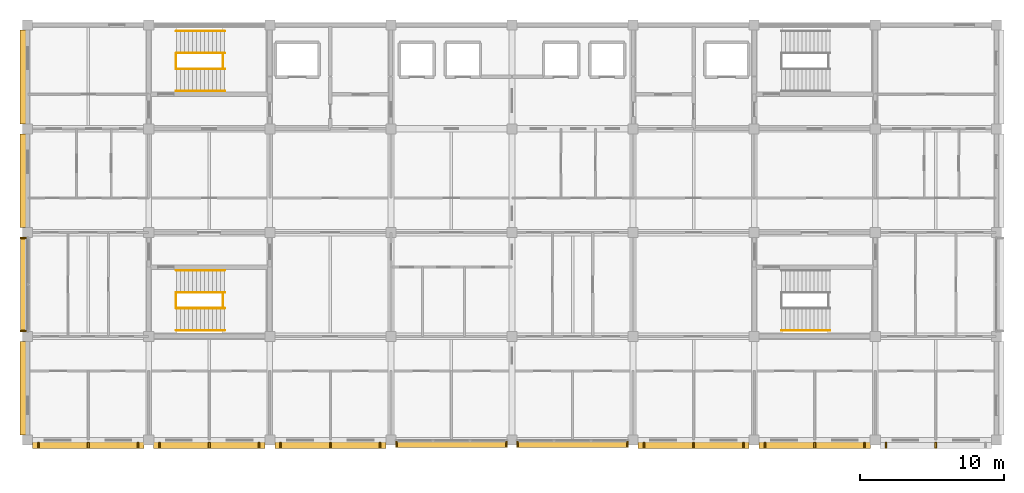
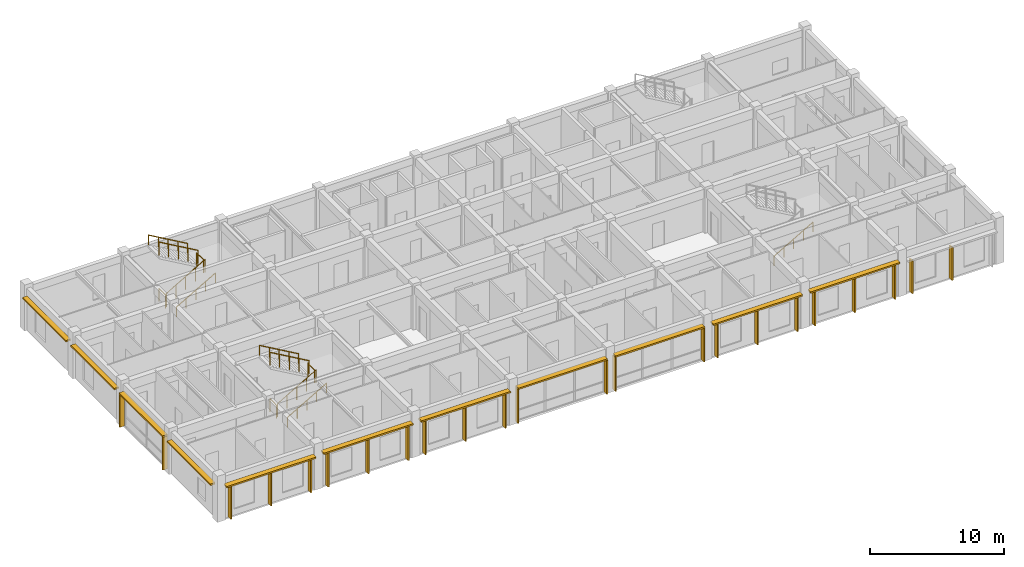
# One storey, part 18 of 19: 34 shading devices, 13 railings.
"""IFC4 building model written with IfcOpenShell, lengths in metres."""

from ifc_helpers import new_model, si_unit, direction, frame, origin, origin_2d, place, context, subcontext, project, spatial, rectangle, circle, extrude, material, type_object, element, save


model = new_model("IFC4")

# Units and contexts
model_context = context("Model", 3, precision=1e-05, world=origin(), true_north=direction((0.0, 1.0)))
body_context = subcontext(model_context, "Body", "Model", "MODEL_VIEW")
ifc_project = project(units=[si_unit("LENGTHUNIT", "METRE"), si_unit("AREAUNIT", "SQUARE_METRE"), si_unit("VOLUMEUNIT", "CUBIC_METRE"), si_unit("PLANEANGLEUNIT", "RADIAN"), si_unit("MASSUNIT", "GRAM", prefix="KILO")], contexts=[model_context])

# Site, building, storey
site_placement = place(None, origin())
site = spatial("IfcSite", under=ifc_project, at=site_placement, CompositionType="ELEMENT")
building_placement = place(site_placement, origin())
building = spatial("IfcBuilding", under=site, at=building_placement, Name="Chengyuan Square Courthouse", CompositionType="ELEMENT")
storey_placement = place(building_placement, frame((0.0, 0.0, 56.10009765625)))
storey = spatial("IfcBuildingStorey", under=building, at=storey_placement, Name="L13", CompositionType="ELEMENT", Elevation=56.10009765625)

# Railings
ifc_material_1 = material(Name="Tempered Glass and Timber Top-Rail Balustrade", Category="wood")
railing_type_1 = type_object("IfcRailingType", Name="RL-02", PredefinedType="BALUSTRADE", material=ifc_material_1)
for number, where, name in (
    (1, (60.68994140625, 105.0, 0.0), "Stair Floor Slot Guard ST-1 L13"),
    (2, (63.949951171875, 105.0, 2.099853515625), "Stair Landing Guard ST-1-L13"),
):
    element("IfcRailing", number, at=place(storey_placement, frame(where)), inside=storey, type_object=railing_type_1, Name=name, PredefinedType="BALUSTRADE", context=body_context, shape_type="SweptSolid", body=[
        extrude(circle(Radius=0.02392578125, at=origin_2d()), frame((0.0, 0.0, 1.17578125), z_axis=(0.0, 1.0, 0.0), x_axis=(-1.0, 0.0, 0.0)), (0.0, 0.0, 1.0), 1.0),
        extrude(circle(Radius=0.02099609375, at=origin_2d()), origin(), (0.0, 0.0, 1.0), 1.15185546875),
        extrude(circle(Radius=0.02099609375, at=origin_2d()), frame((0.0, 1.0, 0.0)), (0.0, 0.0, 1.0), 1.15185546875),
    ])
railing_1_placement = place(storey_placement, frame((60.7099609375, 104.949951171875, 0.161376953125)))
element("IfcRailing", 3, at=railing_1_placement, inside=storey, type_object=railing_type_1, Name="Stair Flight 1 Guard ST-1-L13", PredefinedType="BALUSTRADE", context=body_context, shape_type="SweptSolid", body=[
    extrude(circle(Radius=0.02392578125, at=origin_2d()), frame((0.0, 0.0, 1.17578125), z_axis=(0.866190824863, 0.0, 0.499713372768), x_axis=(0.0, 1.0, 0.0)), (0.0, 0.0, 1.0), 3.879150390625),
    extrude(circle(Radius=0.02099609375, at=origin_2d()), origin(), (0.0, 0.0, 1.0), 1.15185546875),
    extrude(circle(Radius=0.02099609375, at=origin_2d()), frame((0.840087890625, 0.0, 0.484619140625)), (0.0, 0.0, 1.0), 1.15185546875),
    extrude(circle(Radius=0.02099609375, at=origin_2d()), frame((1.68017578125, 0.0, 0.96923828125)), (0.0, 0.0, 1.0), 1.15185546875),
    extrude(circle(Radius=0.02099609375, at=origin_2d()), frame((2.52001953125, 0.0, 1.453857421875)), (0.0, 0.0, 1.0), 1.15185546875),
    extrude(circle(Radius=0.02099609375, at=origin_2d()), frame((3.360107421875, 0.0, 1.9384765625)), (0.0, 0.0, 1.0), 1.15185546875),
])
railing_2_placement = place(storey_placement, frame((64.070068359375, 106.050048828125, 2.261474609375)))
element("IfcRailing", 4, at=railing_2_placement, inside=storey, type_object=railing_type_1, Name="Stair Flight 2 Guard ST-1-L13", PredefinedType="BALUSTRADE", context=body_context, shape_type="SweptSolid", body=[
    extrude(circle(Radius=0.02392578125, at=origin_2d()), frame((0.0, 0.0, 1.17578125), z_axis=(-0.866190824863, 0.0, 0.499713372768), x_axis=(0.0, -1.0, 0.0)), (0.0, 0.0, 1.0), 3.879150390625),
    extrude(circle(Radius=0.02099609375, at=origin_2d()), origin(), (0.0, 0.0, 1.0), 1.15185546875),
    extrude(circle(Radius=0.02099609375, at=origin_2d()), frame((-0.840087890625, 0.0, 0.484619140625)), (0.0, 0.0, 1.0), 1.15185546875),
    extrude(circle(Radius=0.02099609375, at=origin_2d()), frame((-1.68017578125, 0.0, 0.96923828125)), (0.0, 0.0, 1.0), 1.15185546875),
    extrude(circle(Radius=0.02099609375, at=origin_2d()), frame((-2.52001953125, 0.0, 1.453857421875)), (0.0, 0.0, 1.0), 1.15185546875),
    extrude(circle(Radius=0.02099609375, at=origin_2d()), frame((-3.360107421875, 0.0, 1.9384765625)), (0.0, 0.0, 1.0), 1.15185546875),
])
for number, where, name in (
    (5, (60.68994140625, 88.39990234375, 0.0), "Stair Floor Slot Guard ST-3 L13"),
    (6, (63.949951171875, 88.39990234375, 2.099853515625), "Stair Landing Guard ST-3-L13"),
):
    element("IfcRailing", number, at=place(storey_placement, frame(where)), inside=storey, type_object=railing_type_1, Name=name, PredefinedType="BALUSTRADE", context=body_context, shape_type="SweptSolid", body=[
        extrude(circle(Radius=0.02392578125, at=origin_2d()), frame((0.0, 0.0, 1.17578125), z_axis=(0.0, 1.0, 0.0), x_axis=(-1.0, 0.0, 0.0)), (0.0, 0.0, 1.0), 1.0),
        extrude(circle(Radius=0.02099609375, at=origin_2d()), origin(), (0.0, 0.0, 1.0), 1.15185546875),
        extrude(circle(Radius=0.02099609375, at=origin_2d()), frame((0.0, 1.0, 0.0)), (0.0, 0.0, 1.0), 1.15185546875),
    ])
railing_3_placement = place(storey_placement, frame((60.7099609375, 88.35009765625, 0.161376953125)))
element("IfcRailing", 7, at=railing_3_placement, inside=storey, type_object=railing_type_1, Name="Stair Flight 1 Guard ST-3-L13", PredefinedType="BALUSTRADE", context=body_context, shape_type="SweptSolid", body=[
    extrude(circle(Radius=0.02392578125, at=origin_2d()), frame((0.0, 0.0, 1.17578125), z_axis=(0.866190824863, 0.0, 0.499713372768), x_axis=(0.0, 1.0, 0.0)), (0.0, 0.0, 1.0), 3.879150390625),
    extrude(circle(Radius=0.02099609375, at=origin_2d()), origin(), (0.0, 0.0, 1.0), 1.15185546875),
    extrude(circle(Radius=0.02099609375, at=origin_2d()), frame((0.840087890625, 0.0, 0.484619140625)), (0.0, 0.0, 1.0), 1.15185546875),
    extrude(circle(Radius=0.02099609375, at=origin_2d()), frame((1.68017578125, 0.0, 0.96923828125)), (0.0, 0.0, 1.0), 1.15185546875),
    extrude(circle(Radius=0.02099609375, at=origin_2d()), frame((2.52001953125, 0.0, 1.453857421875)), (0.0, 0.0, 1.0), 1.15185546875),
    extrude(circle(Radius=0.02099609375, at=origin_2d()), frame((3.360107421875, 0.0, 1.9384765625)), (0.0, 0.0, 1.0), 1.15185546875),
])
railing_4_placement = place(storey_placement, frame((64.070068359375, 89.449951171875, 2.261474609375)))
element("IfcRailing", 8, at=railing_4_placement, inside=storey, type_object=railing_type_1, Name="Stair Flight 2 Guard ST-3-L13", PredefinedType="BALUSTRADE", context=body_context, shape_type="SweptSolid", body=[
    extrude(circle(Radius=0.02392578125, at=origin_2d()), frame((0.0, 0.0, 1.17578125), z_axis=(-0.866190824863, 0.0, 0.499713372768), x_axis=(0.0, -1.0, 0.0)), (0.0, 0.0, 1.0), 3.879150390625),
    extrude(circle(Radius=0.02099609375, at=origin_2d()), origin(), (0.0, 0.0, 1.0), 1.15185546875),
    extrude(circle(Radius=0.02099609375, at=origin_2d()), frame((-0.840087890625, 0.0, 0.484619140625)), (0.0, 0.0, 1.0), 1.15185546875),
    extrude(circle(Radius=0.02099609375, at=origin_2d()), frame((-1.68017578125, 0.0, 0.96923828125)), (0.0, 0.0, 1.0), 1.15185546875),
    extrude(circle(Radius=0.02099609375, at=origin_2d()), frame((-2.52001953125, 0.0, 1.453857421875)), (0.0, 0.0, 1.0), 1.15185546875),
    extrude(circle(Radius=0.02099609375, at=origin_2d()), frame((-3.360107421875, 0.0, 1.9384765625)), (0.0, 0.0, 1.0), 1.15185546875),
])
ifc_material_2 = material(Name="Stainless Steel S30408 Stair Handrail", Category="steel")
railing_type_2 = type_object("IfcRailingType", Name="RL-04", PredefinedType="HANDRAIL", material=ifc_material_2)
railing_5_placement = place(storey_placement, frame((60.7099609375, 103.419921875, 0.161376953125)))
element("IfcRailing", 9, at=railing_5_placement, inside=storey, type_object=railing_type_2, Name="Stair Flight 1 Handrail ST-1-L13", PredefinedType="HANDRAIL", context=body_context, shape_type="SweptSolid", body=[
    extrude(circle(Radius=0.02392578125, at=origin_2d()), frame((0.0, 0.0, 0.8759765625), z_axis=(0.866190824863, 0.0, 0.499713372768), x_axis=(0.0, 1.0, 0.0)), (0.0, 0.0, 1.0), 3.879150390625),
    extrude(circle(Radius=0.02099609375, at=origin_2d()), origin(), (0.0, 0.0, 1.0), 0.851806640625),
    extrude(circle(Radius=0.02099609375, at=origin_2d()), frame((0.840087890625, 0.0, 0.484619140625)), (0.0, 0.0, 1.0), 0.851806640625),
    extrude(circle(Radius=0.02099609375, at=origin_2d()), frame((1.68017578125, 0.0, 0.96923828125)), (0.0, 0.0, 1.0), 0.851806640625),
    extrude(circle(Radius=0.02099609375, at=origin_2d()), frame((2.52001953125, 0.0, 1.453857421875)), (0.0, 0.0, 1.0), 0.851806640625),
    extrude(circle(Radius=0.02099609375, at=origin_2d()), frame((3.360107421875, 0.0, 1.9384765625)), (0.0, 0.0, 1.0), 0.851806640625),
])
railing_6_placement = place(storey_placement, frame((64.070068359375, 107.580078125, 2.261474609375)))
element("IfcRailing", 10, at=railing_6_placement, inside=storey, type_object=railing_type_2, Name="Stair Flight 2 Handrail ST-1-L13", PredefinedType="HANDRAIL", context=body_context, shape_type="SweptSolid", body=[
    extrude(circle(Radius=0.02392578125, at=origin_2d()), frame((0.0, 0.0, 0.8759765625), z_axis=(-0.866190824863, 0.0, 0.499713372768), x_axis=(0.0, -1.0, 0.0)), (0.0, 0.0, 1.0), 3.879150390625),
    extrude(circle(Radius=0.02099609375, at=origin_2d()), origin(), (0.0, 0.0, 1.0), 0.851806640625),
    extrude(circle(Radius=0.02099609375, at=origin_2d()), frame((-0.840087890625, 0.0, 0.484619140625)), (0.0, 0.0, 1.0), 0.851806640625),
    extrude(circle(Radius=0.02099609375, at=origin_2d()), frame((-1.68017578125, 0.0, 0.96923828125)), (0.0, 0.0, 1.0), 0.851806640625),
    extrude(circle(Radius=0.02099609375, at=origin_2d()), frame((-2.52001953125, 0.0, 1.453857421875)), (0.0, 0.0, 1.0), 0.851806640625),
    extrude(circle(Radius=0.02099609375, at=origin_2d()), frame((-3.360107421875, 0.0, 1.9384765625)), (0.0, 0.0, 1.0), 0.851806640625),
])
railing_7_placement = place(storey_placement, frame((60.7099609375, 86.820068359375, 0.161376953125)))
element("IfcRailing", 11, at=railing_7_placement, inside=storey, type_object=railing_type_2, Name="Stair Flight 1 Handrail ST-3-L13", PredefinedType="HANDRAIL", context=body_context, shape_type="SweptSolid", body=[
    extrude(circle(Radius=0.02392578125, at=origin_2d()), frame((0.0, 0.0, 0.8759765625), z_axis=(0.866190824863, 0.0, 0.499713372768), x_axis=(0.0, 1.0, 0.0)), (0.0, 0.0, 1.0), 3.879150390625),
    extrude(circle(Radius=0.02099609375, at=origin_2d()), origin(), (0.0, 0.0, 1.0), 0.851806640625),
    extrude(circle(Radius=0.02099609375, at=origin_2d()), frame((0.840087890625, 0.0, 0.484619140625)), (0.0, 0.0, 1.0), 0.851806640625),
    extrude(circle(Radius=0.02099609375, at=origin_2d()), frame((1.68017578125, 0.0, 0.96923828125)), (0.0, 0.0, 1.0), 0.851806640625),
    extrude(circle(Radius=0.02099609375, at=origin_2d()), frame((2.52001953125, 0.0, 1.453857421875)), (0.0, 0.0, 1.0), 0.851806640625),
    extrude(circle(Radius=0.02099609375, at=origin_2d()), frame((3.360107421875, 0.0, 1.9384765625)), (0.0, 0.0, 1.0), 0.851806640625),
])
railing_8_placement = place(storey_placement, frame((64.070068359375, 90.97998046875, 2.261474609375)))
element("IfcRailing", 12, at=railing_8_placement, inside=storey, type_object=railing_type_2, Name="Stair Flight 2 Handrail ST-3-L13", PredefinedType="HANDRAIL", context=body_context, shape_type="SweptSolid", body=[
    extrude(circle(Radius=0.02392578125, at=origin_2d()), frame((0.0, 0.0, 0.8759765625), z_axis=(-0.866190824863, 0.0, 0.499713372768), x_axis=(0.0, -1.0, 0.0)), (0.0, 0.0, 1.0), 3.879150390625),
    extrude(circle(Radius=0.02099609375, at=origin_2d()), origin(), (0.0, 0.0, 1.0), 0.851806640625),
    extrude(circle(Radius=0.02099609375, at=origin_2d()), frame((-0.840087890625, 0.0, 0.484619140625)), (0.0, 0.0, 1.0), 0.851806640625),
    extrude(circle(Radius=0.02099609375, at=origin_2d()), frame((-1.68017578125, 0.0, 0.96923828125)), (0.0, 0.0, 1.0), 0.851806640625),
    extrude(circle(Radius=0.02099609375, at=origin_2d()), frame((-2.52001953125, 0.0, 1.453857421875)), (0.0, 0.0, 1.0), 0.851806640625),
    extrude(circle(Radius=0.02099609375, at=origin_2d()), frame((-3.360107421875, 0.0, 1.9384765625)), (0.0, 0.0, 1.0), 0.851806640625),
])
railing_9_placement = place(storey_placement, frame((102.7099609375, 86.820068359375, 0.161376953125)))
element("IfcRailing", 13, at=railing_9_placement, inside=storey, type_object=railing_type_2, Name="Stair Flight 1 Handrail ST-4-L13", PredefinedType="HANDRAIL", context=body_context, shape_type="SweptSolid", body=[
    extrude(circle(Radius=0.02392578125, at=origin_2d()), frame((0.0, 0.0, 0.8759765625), z_axis=(0.866190824863, 0.0, 0.499713372768), x_axis=(0.0, 1.0, 0.0)), (0.0, 0.0, 1.0), 3.879150390625),
    extrude(circle(Radius=0.02099609375, at=origin_2d()), origin(), (0.0, 0.0, 1.0), 0.851806640625),
    extrude(circle(Radius=0.02099609375, at=origin_2d()), frame((0.840087890625, 0.0, 0.484619140625)), (0.0, 0.0, 1.0), 0.851806640625),
    extrude(circle(Radius=0.02099609375, at=origin_2d()), frame((1.68017578125, 0.0, 0.96923828125)), (0.0, 0.0, 1.0), 0.851806640625),
    extrude(circle(Radius=0.02099609375, at=origin_2d()), frame((2.52001953125, 0.0, 1.453857421875)), (0.0, 0.0, 1.0), 0.851806640625),
    extrude(circle(Radius=0.02099609375, at=origin_2d()), frame((3.360107421875, 0.0, 1.9384765625)), (0.0, 0.0, 1.0), 0.851806640625),
])

# Shading devices
ifc_material_3 = material(Name="Glulam TCt28 Solar Shading Fin", Category="wood")
shading_device_type_1 = type_object("IfcShadingDeviceType", Name="SHD-01", PredefinedType="JALOUSIE", material=ifc_material_3)
for number, where, z_axis, x_axis, name in (
    (14, (50.10791015625, 86.782470703125, 0.0400390625), (0.0, 0.0, 1.0), (1.0, 0.0, 0.0), "Glulam Solar Fin SHD-L13-0876"),
    (15, (50.10791015625, 93.217529296875, 0.0400390625), (0.0, 0.0, 1.0), (1.0, 0.0, 0.0), "Glulam Solar Fin SHD-L13-0877"),
):
    element("IfcShadingDevice", number, at=place(storey_placement, frame(where, z_axis=z_axis, x_axis=x_axis)), inside=storey, type_object=shading_device_type_1, Name=name, PredefinedType="JALOUSIE", context=body_context, shape_type="SweptSolid", body=[
        extrude(rectangle(XDim=0.419921875, YDim=0.094970703125, at=origin_2d()), origin(), (0.0, 0.0, 1.0), 2.989990234375),
    ])
for number, where, z_axis, x_axis, name in (
    (16, (75.97998046875, 78.91796875, 0.039794921875), (0.0, 0.0, 1.0), (0.0, 1.0, 0.0), "Glulam Solar Fin SHD-L13-0889"),
    (17, (83.6201171875, 78.91796875, 0.039794921875), (0.0, 0.0, 1.0), (0.0, 1.0, 0.0), "Glulam Solar Fin SHD-L13-0890"),
    (18, (84.3798828125, 78.91796875, 0.039794921875), (0.0, 0.0, 1.0), (0.0, 1.0, 0.0), "Glulam Solar Fin SHD-L13-0892"),
    (19, (92.02001953125, 78.91796875, 0.039794921875), (0.0, 0.0, 1.0), (0.0, 1.0, 0.0), "Glulam Solar Fin SHD-L13-0893"),
):
    element("IfcShadingDevice", number, at=place(storey_placement, frame(where, z_axis=z_axis, x_axis=x_axis)), inside=storey, type_object=shading_device_type_1, Name=name, PredefinedType="JALOUSIE", context=body_context, shape_type="SweptSolid", body=[
        extrude(rectangle(XDim=0.419921875, YDim=0.094970703125, at=origin_2d()), origin(), (0.0, 0.0, 1.0), 3.10009765625),
    ])
ifc_material_4 = material(Name="Glulam TCt28 Sunshade Louvre", Category="wood")
shading_device_type_2 = type_object("IfcShadingDeviceType", Name="SHD-02", PredefinedType="AWNING", material=ifc_material_4)
shading_device_1_placement = place(storey_placement, frame((54.60009765625, 78.85791015625, 3.02978515625), z_axis=(0.0, 0.0, 1.0), x_axis=(1.0, 0.0, 0.0)))
element("IfcShadingDevice", 20, at=shading_device_1_placement, inside=storey, type_object=shading_device_type_2, Name="Glulam Sunshade Cornice SHD-L13-0874", PredefinedType="AWNING", context=body_context, shape_type="SweptSolid", body=[
    extrude(rectangle(XDim=7.7099609375, YDim=0.43994140625, at=origin_2d()), origin(), (0.0, 0.0, 1.0), 0.139892578125),
])
shading_device_2_placement = place(storey_placement, frame((50.10791015625, 90.0, 3.02978515625), z_axis=(0.0, 0.0, 1.0), x_axis=(0.0, 1.0, 0.0)))
element("IfcShadingDevice", 21, at=shading_device_2_placement, inside=storey, type_object=shading_device_type_2, Name="Glulam Sunshade Louvre SHD-L13-0878", PredefinedType="AWNING", context=body_context, shape_type="SweptSolid", body=[
    extrude(rectangle(XDim=6.5, YDim=0.43994140625, at=origin_2d()), origin(), (0.0, 0.0, 1.0), 0.139892578125),
])
for number, where, z_axis, x_axis, name in (
    (22, (63.0, 78.85791015625, 3.14013671875), (0.0, 0.0, 1.0), (1.0, 0.0, 0.0), "Glulam Sunshade Cornice SHD-L13-0884"),
    (23, (71.39990234375, 78.85791015625, 3.14013671875), (0.0, 0.0, 1.0), (1.0, 0.0, 0.0), "Glulam Sunshade Cornice SHD-L13-0888"),
):
    element("IfcShadingDevice", number, at=place(storey_placement, frame(where, z_axis=z_axis, x_axis=x_axis)), inside=storey, type_object=shading_device_type_2, Name=name, PredefinedType="AWNING", context=body_context, shape_type="SweptSolid", body=[
        extrude(rectangle(XDim=7.7099609375, YDim=0.43994140625, at=origin_2d()), origin(), (0.0, 0.0, 1.0), 0.139892578125),
    ])
for number, where, z_axis, x_axis, name in (
    (24, (79.800048828125, 78.91796875, 3.14013671875), (0.0, 0.0, 1.0), (1.0, 0.0, 0.0), "Glulam Sunshade Louvre SHD-L13-0891"),
    (25, (88.199951171875, 78.91796875, 3.14013671875), (0.0, 0.0, 1.0), (1.0, 0.0, 0.0), "Glulam Sunshade Louvre SHD-L13-0894"),
):
    element("IfcShadingDevice", number, at=place(storey_placement, frame(where, z_axis=z_axis, x_axis=x_axis)), inside=storey, type_object=shading_device_type_2, Name=name, PredefinedType="AWNING", context=body_context, shape_type="SweptSolid", body=[
        extrude(rectangle(XDim=7.699951171875, YDim=0.43994140625, at=origin_2d()), origin(), (0.0, 0.0, 1.0), 0.139892578125),
    ])
for number, where, z_axis, x_axis, name in (
    (26, (96.60009765625, 78.85791015625, 3.14013671875), (0.0, 0.0, 1.0), (1.0, 0.0, 0.0), "Glulam Sunshade Cornice SHD-L13-0898"),
    (27, (105.0, 78.85791015625, 3.14013671875), (0.0, 0.0, 1.0), (1.0, 0.0, 0.0), "Glulam Sunshade Cornice SHD-L13-0902"),
):
    element("IfcShadingDevice", number, at=place(storey_placement, frame(where, z_axis=z_axis, x_axis=x_axis)), inside=storey, type_object=shading_device_type_2, Name=name, PredefinedType="AWNING", context=body_context, shape_type="SweptSolid", body=[
        extrude(rectangle(XDim=7.7099609375, YDim=0.43994140625, at=origin_2d()), origin(), (0.0, 0.0, 1.0), 0.139892578125),
    ])
ifc_material_5 = material(Name="Glulam TCt28 Facade Sunshade", Category="wood")
shading_device_type_3 = type_object("IfcShadingDeviceType", Name="SHD-03", PredefinedType="AWNING", material=ifc_material_5)
for number, where, z_axis, x_axis, name in (
    (28, (50.068115234375, 82.800048828125, 3.009765625), (0.0, 0.0, 1.0), (0.0, 1.0, 0.0), "Glulam Facade Sunshade SHD-L13-0875"),
    (29, (50.068115234375, 97.199951171875, 3.009765625), (0.0, 0.0, 1.0), (0.0, 1.0, 0.0), "Glulam Facade Sunshade SHD-L13-0879"),
    (30, (50.068115234375, 104.39990234375, 3.009765625), (0.0, 0.0, 1.0), (0.0, 1.0, 0.0), "Glulam Facade Sunshade SHD-L13-0880"),
):
    element("IfcShadingDevice", number, at=place(storey_placement, frame(where, z_axis=z_axis, x_axis=x_axis)), inside=storey, type_object=shading_device_type_3, Name=name, PredefinedType="AWNING", context=body_context, shape_type="SweptSolid", body=[
        extrude(rectangle(XDim=6.510009765625, YDim=0.39990234375, at=origin_2d()), origin(), (0.0, 0.0, 1.0), 0.139892578125),
    ])
ifc_material_6 = material(Name="Glulam TCt28 Chamber Solar Fin", Category="wood")
shading_device_type_4 = type_object("IfcShadingDeviceType", Name="SHD-04", PredefinedType="JALOUSIE", material=ifc_material_6)
for number, where, z_axis, x_axis, name in (
    (31, (51.14990234375, 78.85791015625, 0.0400390625), (0.0, 0.0, 1.0), (0.0, 1.0, 0.0), "Glulam Chamber Fin SHD-L13-0871"),
    (32, (54.60009765625, 78.85791015625, 0.0400390625), (0.0, 0.0, 1.0), (0.0, 1.0, 0.0), "Glulam Chamber Fin SHD-L13-0872"),
    (33, (58.050048828125, 78.85791015625, 0.0400390625), (0.0, 0.0, 1.0), (0.0, 1.0, 0.0), "Glulam Chamber Fin SHD-L13-0873"),
):
    element("IfcShadingDevice", number, at=place(storey_placement, frame(where, z_axis=z_axis, x_axis=x_axis)), inside=storey, type_object=shading_device_type_4, Name=name, PredefinedType="JALOUSIE", context=body_context, shape_type="SweptSolid", body=[
        extrude(rectangle(XDim=0.419921875, YDim=0.110107421875, at=origin_2d()), origin(), (0.0, 0.0, 1.0), 2.989990234375),
    ])
for number, where, z_axis, x_axis, name in (
    (34, (59.550048828125, 78.85791015625, 0.039794921875), (0.0, 0.0, 1.0), (0.0, 1.0, 0.0), "Glulam Chamber Fin SHD-L13-0881"),
    (35, (63.0, 78.85791015625, 0.039794921875), (0.0, 0.0, 1.0), (0.0, 1.0, 0.0), "Glulam Chamber Fin SHD-L13-0882"),
    (36, (66.449951171875, 78.85791015625, 0.039794921875), (0.0, 0.0, 1.0), (0.0, 1.0, 0.0), "Glulam Chamber Fin SHD-L13-0883"),
    (37, (67.949951171875, 78.85791015625, 0.039794921875), (0.0, 0.0, 1.0), (0.0, 1.0, 0.0), "Glulam Chamber Fin SHD-L13-0885"),
    (38, (71.39990234375, 78.85791015625, 0.039794921875), (0.0, 0.0, 1.0), (0.0, 1.0, 0.0), "Glulam Chamber Fin SHD-L13-0886"),
    (39, (74.85009765625, 78.85791015625, 0.039794921875), (0.0, 0.0, 1.0), (0.0, 1.0, 0.0), "Glulam Chamber Fin SHD-L13-0887"),
    (40, (93.14990234375, 78.85791015625, 0.039794921875), (0.0, 0.0, 1.0), (0.0, 1.0, 0.0), "Glulam Chamber Fin SHD-L13-0895"),
    (41, (96.60009765625, 78.85791015625, 0.039794921875), (0.0, 0.0, 1.0), (0.0, 1.0, 0.0), "Glulam Chamber Fin SHD-L13-0896"),
    (42, (100.050048828125, 78.85791015625, 0.039794921875), (0.0, 0.0, 1.0), (0.0, 1.0, 0.0), "Glulam Chamber Fin SHD-L13-0897"),
    (43, (101.550048828125, 78.85791015625, 0.039794921875), (0.0, 0.0, 1.0), (0.0, 1.0, 0.0), "Glulam Chamber Fin SHD-L13-0899"),
    (44, (105.0, 78.85791015625, 0.039794921875), (0.0, 0.0, 1.0), (0.0, 1.0, 0.0), "Glulam Chamber Fin SHD-L13-0900"),
    (45, (108.449951171875, 78.85791015625, 0.039794921875), (0.0, 0.0, 1.0), (0.0, 1.0, 0.0), "Glulam Chamber Fin SHD-L13-0901"),
):
    element("IfcShadingDevice", number, at=place(storey_placement, frame(where, z_axis=z_axis, x_axis=x_axis)), inside=storey, type_object=shading_device_type_4, Name=name, PredefinedType="JALOUSIE", context=body_context, shape_type="SweptSolid", body=[
        extrude(rectangle(XDim=0.419921875, YDim=0.110107421875, at=origin_2d()), origin(), (0.0, 0.0, 1.0), 3.10009765625),
    ])
for number, where, z_axis, x_axis, name in (
    (46, (109.949951171875, 78.85791015625, 0.0400390625), (0.0, 0.0, 1.0), (0.0, 1.0, 0.0), "Glulam Chamber Fin SHD-L13-0903"),
    (47, (113.39990234375, 78.85791015625, 0.0400390625), (0.0, 0.0, 1.0), (0.0, 1.0, 0.0), "Glulam Chamber Fin SHD-L13-0904"),
):
    element("IfcShadingDevice", number, at=place(storey_placement, frame(where, z_axis=z_axis, x_axis=x_axis)), inside=storey, type_object=shading_device_type_4, Name=name, PredefinedType="JALOUSIE", context=body_context, shape_type="SweptSolid", body=[
        extrude(rectangle(XDim=0.419921875, YDim=0.110107421875, at=origin_2d()), origin(), (0.0, 0.0, 1.0), 2.989990234375),
    ])

save(model, "model.ifc")
